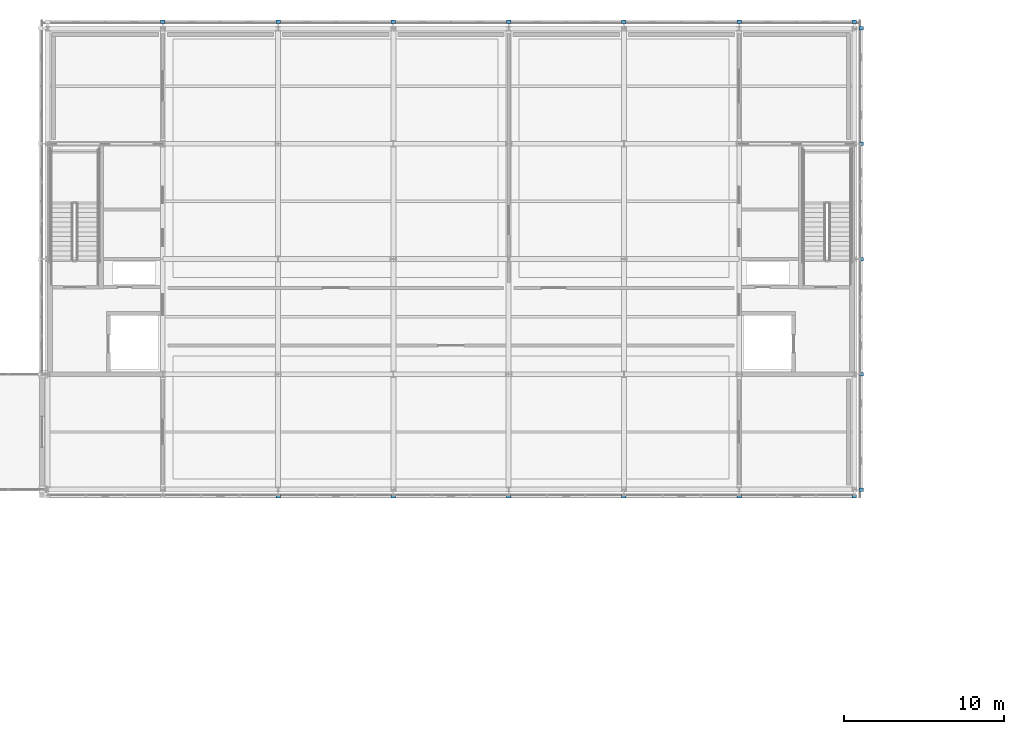
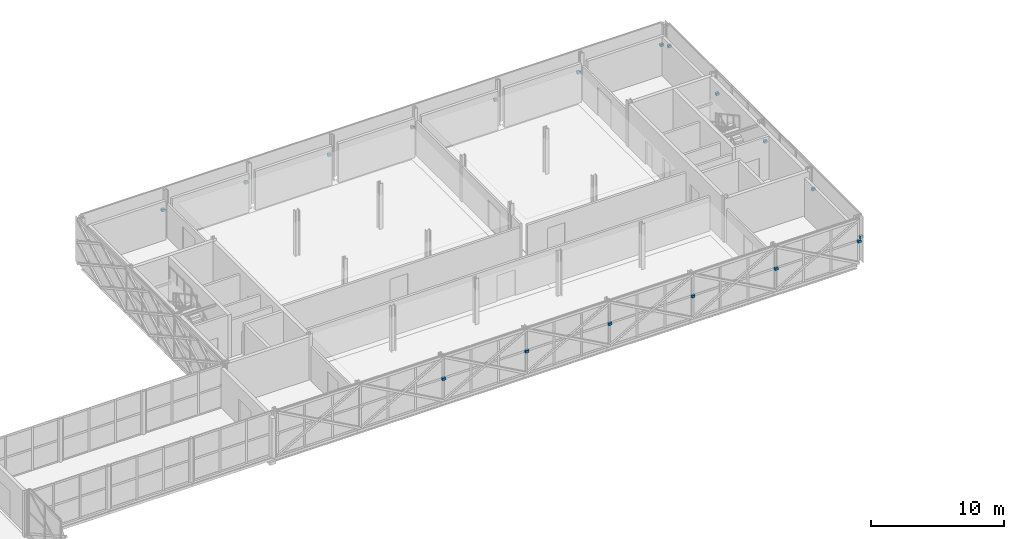
# One storey, part 95 of 103: 18 discrete accessories.
"""IFC4 building model written with IfcOpenShell, lengths in metres."""

from ifc_helpers import new_model, si_unit, direction, frame, origin, origin_2d, place, context, subcontext, project, spatial, rectangle, extrude, material, type_object, element, save


model = new_model("IFC4")

# Units and contexts
model_context = context("Model", 3, precision=1e-05, world=origin(), true_north=direction((0.0, 1.0)))
body_context = subcontext(model_context, "Body", "Model", "MODEL_VIEW")
ifc_project = project(units=[si_unit("LENGTHUNIT", "METRE"), si_unit("AREAUNIT", "SQUARE_METRE"), si_unit("VOLUMEUNIT", "CUBIC_METRE"), si_unit("PLANEANGLEUNIT", "RADIAN"), si_unit("MASSUNIT", "GRAM", prefix="KILO")], contexts=[model_context])

# Site, building, storey
site_placement = place(None, origin())
site = spatial("IfcSite", under=ifc_project, at=site_placement, CompositionType="ELEMENT")
building_placement = place(site_placement, origin())
building = spatial("IfcBuilding", under=site, at=building_placement, Name="Zlatovets Crest Museum", CompositionType="ELEMENT")
storey_placement = place(building_placement, frame((0.0, 0.0, 12.89990234375)))
storey = spatial("IfcBuildingStorey", under=building, at=storey_placement, Name="L03", CompositionType="ELEMENT", Elevation=12.89990234375)

# Discrete accessories
ifc_material = material(Name="Structural steel S355J2", Category="steel")
discrete_accessory_type = type_object("IfcDiscreteAccessoryType", Name="LatticeBracket_BK01", PredefinedType="BRACKET", material=ifc_material)
for number, where, z_axis, x_axis, name in (
    (1, (72.0, 85.97998046875, 1.990234375), (0.0, 0.0, 1.0), (1.0, 0.0, 0.0), "Bronze Lattice Structural Collector Bracket"),
    (2, (79.199951171875, 85.97998046875, 1.990234375), (0.0, 0.0, 1.0), (1.0, 0.0, 0.0), "Bronze Lattice Structural Collector Bracket"),
    (3, (86.39990234375, 85.97998046875, 1.990234375), (0.0, 0.0, 1.0), (1.0, 0.0, 0.0), "Bronze Lattice Structural Collector Bracket"),
    (4, (93.60009765625, 85.97998046875, 1.990234375), (0.0, 0.0, 1.0), (1.0, 0.0, 0.0), "Bronze Lattice Structural Collector Bracket"),
    (5, (100.800048828125, 85.97998046875, 1.990234375), (0.0, 0.0, 1.0), (1.0, 0.0, 0.0), "Bronze Lattice Structural Collector Bracket"),
    (6, (108.0, 85.97998046875, 1.990234375), (0.0, 0.0, 1.0), (1.0, 0.0, 0.0), "Bronze Lattice Structural Collector Bracket"),
    (7, (108.419921875, 86.39990234375, 1.990234375), (0.0, 0.0, 1.0), (1.0, 0.0, 0.0), "Bronze Lattice Structural Collector Bracket"),
    (8, (108.419921875, 93.60009765625, 1.990234375), (0.0, 0.0, 1.0), (1.0, 0.0, 0.0), "Bronze Lattice Structural Collector Bracket"),
    (9, (108.419921875, 100.800048828125, 1.990234375), (0.0, 0.0, 1.0), (1.0, 0.0, 0.0), "Bronze Lattice Structural Collector Bracket"),
    (10, (108.419921875, 108.0, 1.990234375), (0.0, 0.0, 1.0), (1.0, 0.0, 0.0), "Bronze Lattice Structural Collector Bracket"),
    (11, (108.419921875, 115.199951171875, 1.990234375), (0.0, 0.0, 1.0), (1.0, 0.0, 0.0), "Bronze Lattice Structural Collector Bracket"),
    (12, (108.0, 115.6201171875, 1.990234375), (0.0, 0.0, 1.0), (1.0, 0.0, 0.0), "Bronze Lattice Structural Collector Bracket"),
    (13, (100.800048828125, 115.6201171875, 1.990234375), (0.0, 0.0, 1.0), (1.0, 0.0, 0.0), "Bronze Lattice Structural Collector Bracket"),
    (14, (93.60009765625, 115.6201171875, 1.990234375), (0.0, 0.0, 1.0), (1.0, 0.0, 0.0), "Bronze Lattice Structural Collector Bracket"),
    (15, (86.39990234375, 115.6201171875, 1.990234375), (0.0, 0.0, 1.0), (1.0, 0.0, 0.0), "Bronze Lattice Structural Collector Bracket"),
    (16, (79.199951171875, 115.6201171875, 1.990234375), (0.0, 0.0, 1.0), (1.0, 0.0, 0.0), "Bronze Lattice Structural Collector Bracket"),
    (17, (72.0, 115.6201171875, 1.990234375), (0.0, 0.0, 1.0), (1.0, 0.0, 0.0), "Bronze Lattice Structural Collector Bracket"),
    (18, (64.800048828125, 115.6201171875, 1.990234375), (0.0, 0.0, 1.0), (1.0, 0.0, 0.0), "Bronze Lattice Structural Collector Bracket"),
):
    element("IfcDiscreteAccessory", number, at=place(storey_placement, frame(where, z_axis=z_axis, x_axis=x_axis)), inside=storey, type_object=discrete_accessory_type, Name=name, PredefinedType="BRACKET", context=body_context, shape_type="SweptSolid", body=[
        extrude(rectangle(XDim=0.280029296875, YDim=0.219970703125, at=origin_2d()), origin(), (0.0, 0.0, 1.0), 0.219970703125),
    ])

save(model, "model.ifc")
